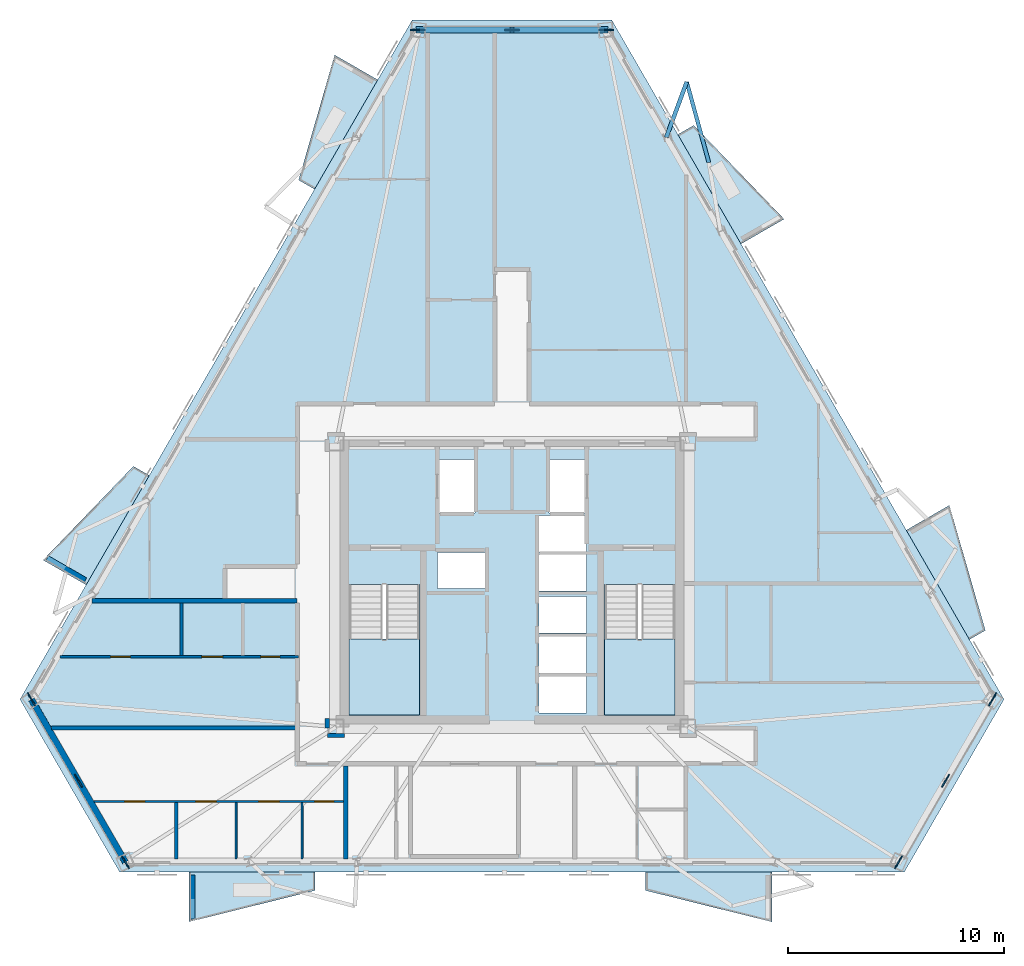
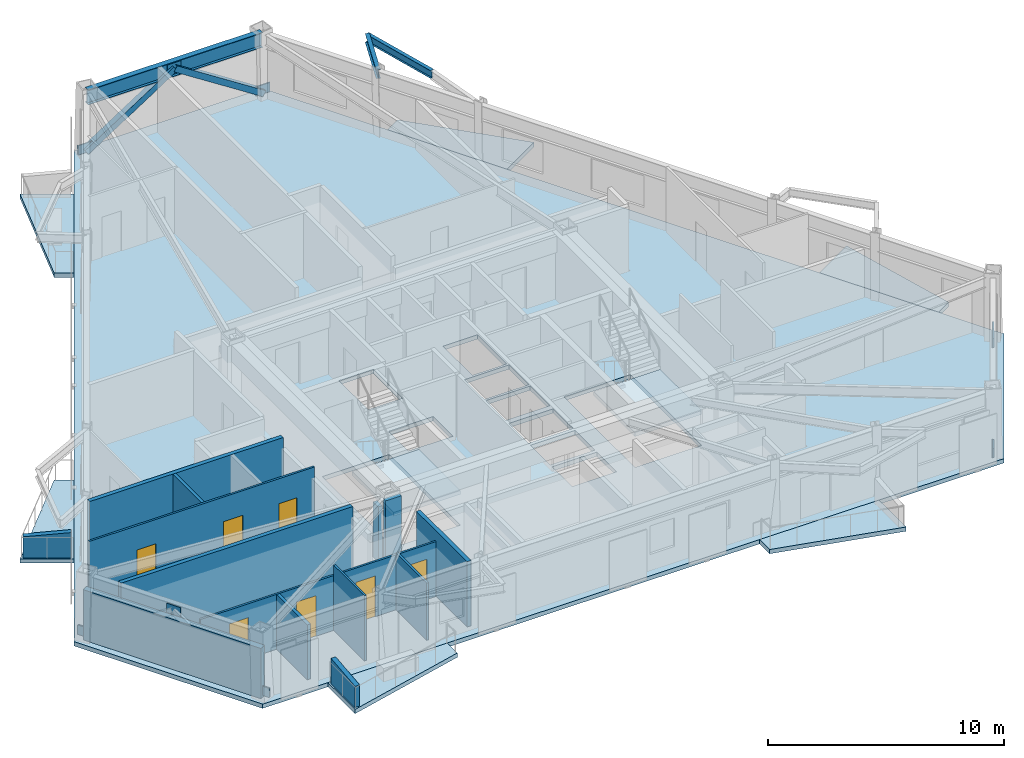
# One storey, part 2 of 9: 14 walls, 9 plates, 9 slabs, 7 doors, 3 beams, 2 members, 7 openings, 2 elements without a shape of their own.
"""IFC4 building model written with IfcOpenShell, lengths in metres."""

from ifc_helpers import new_model, si_unit, direction, frame, frame_2d, origin, origin_2d, place, context, subcontext, project, spatial, polyline, rectangle, hollow_rectangle, i_section, outline, extrude, material, layer, layer_set, material_profile, profile_set, type_object, element, fill, aggregate, save


model = new_model("IFC4")

# Units and contexts
model_context = context("Model", 3, precision=1e-05, world=origin(), true_north=direction((0.0, 1.0)))
body_context = subcontext(model_context, "Body", "Model", "MODEL_VIEW")
ifc_project = project(units=[si_unit("LENGTHUNIT", "METRE"), si_unit("AREAUNIT", "SQUARE_METRE"), si_unit("VOLUMEUNIT", "CUBIC_METRE"), si_unit("PLANEANGLEUNIT", "RADIAN"), si_unit("MASSUNIT", "GRAM", prefix="KILO")], contexts=[model_context])

# Site, building, storey
site_placement = place(None, origin())
site = spatial("IfcSite", under=ifc_project, at=site_placement, CompositionType="ELEMENT")
building_placement = place(site_placement, origin())
building = spatial("IfcBuilding", under=site, at=building_placement, Name="Oramaril Tower", CompositionType="ELEMENT")
storey_placement = place(building_placement, frame((0.0, 0.0, 167.39990234375)))
storey = spatial("IfcBuildingStorey", under=building, at=storey_placement, Name="L44", CompositionType="ELEMENT", Elevation=167.39990234375)

# Beams
ifc_material_1 = material(Name="Steel ASTM A572 Gr 50", Category="steel")
ifc_material_profile_1 = material_profile(ifc_material_1, i_section(OverallWidth=0.19091796875, OverallDepth=0.45703125, WebThickness=0.009033203125, FlangeThickness=0.014404296875, at=origin_2d()), Name="W18X50")
ifc_profile_set_1 = profile_set([ifc_material_profile_1], Name="Steel ASTM A572 Gr 50")
beam_type_1 = type_object("IfcBeamType", Name="BT-BB1", PredefinedType="BEAM", material=ifc_profile_set_1)
beam_1_placement = place(storey_placement, frame((44.643798828125, 38.305419921875, 3.151611328125), z_axis=(0.346609249055, 0.938009610009, 0.0), x_axis=(-0.938009610009, 0.346609249055, 0.0)))
element("IfcBeam", 1, at=beam_1_placement, inside=storey, type_object=beam_type_1, Name="L44 Balcony Column-Framed Cantilever 04.2", PredefinedType="BEAM", context=body_context, shape_type="SweptSolid", body=[
    extrude(i_section(OverallWidth=0.19091796875, OverallDepth=0.45703125, WebThickness=0.009033203125, FlangeThickness=0.014404296875, at=origin_2d()), origin(), (0.0, 0.0, 1.0), 2.74072265625),
])
ifc_material_2 = material(Name="Steel ASTM A572 Gr 50", Category="steel")
ifc_material_profile_2 = material_profile(ifc_material_2, i_section(OverallWidth=0.177978515625, OverallDepth=0.404052734375, WebThickness=0.007568359375, FlangeThickness=0.010986328125, at=origin_2d()), Name="W16X36")
ifc_profile_set_2 = profile_set([ifc_material_profile_2], Name="Steel ASTM A572 Gr 50")
beam_type_2 = type_object("IfcBeamType", Name="BT-SB1", PredefinedType="BEAM", material=ifc_profile_set_2)
beam_2_placement = place(storey_placement, frame((46.616943359375, 37.143798828125, 3.177978515625), z_axis=(-0.264382243015, 0.964417974521, 0.0), x_axis=(-0.964417974521, -0.264382243015, 0.0)))
element("IfcBeam", 2, at=beam_2_placement, inside=storey, type_object=beam_type_2, Name="L44 Balcony Edge Tie Beam 04", PredefinedType="BEAM", context=body_context, shape_type="SweptSolid", body=[
    extrude(i_section(OverallWidth=0.177978515625, OverallDepth=0.404052734375, WebThickness=0.007568359375, FlangeThickness=0.010986328125, at=origin_2d()), origin(), (0.0, 0.0, 1.0), 3.8701171875),
])
ifc_material_3 = material(Name="Steel ASTM A572 Gr 50", Category="steel")
ifc_material_profile_3 = material_profile(ifc_material_3, i_section(OverallWidth=0.26708984375, OverallDepth=0.77001953125, WebThickness=0.015625, FlangeThickness=0.025390625, at=origin_2d()), Name="W30X132")
ifc_profile_set_3 = profile_set([ifc_material_profile_3], Name="Steel ASTM A572 Gr 50")
beam_type_3 = type_object("IfcBeamType", Name="BT-SP3", PredefinedType="SPANDREL", material=ifc_profile_set_3)
beam_3_placement = place(storey_placement, frame((41.7744140625, 43.275390625, 2.9951171875), z_axis=(-1.0, 0.0, 0.0), x_axis=(0.0, -1.0, 0.0)))
element("IfcBeam", 3, at=beam_3_placement, inside=storey, type_object=beam_type_3, Name="L44 Perimeter Spandrel 13", PredefinedType="SPANDREL", context=body_context, shape_type="SweptSolid", body=[
    extrude(i_section(OverallWidth=0.26708984375, OverallDepth=0.77001953125, WebThickness=0.015625, FlangeThickness=0.025390625, at=origin_2d()), origin(), (0.0, 0.0, 1.0), 8.548828125),
])

# Members
ifc_material_4 = material(Name="Steel ASTM A572 Gr 50", Category="steel")
ifc_material_profile_4 = material_profile(ifc_material_4, hollow_rectangle(XDim=0.300048828125, YDim=0.300048828125, WallThickness=0.01611328125, at=origin_2d()), Name="HSS300X300X16")
ifc_profile_set_4 = profile_set([ifc_material_profile_4], Name="Steel ASTM A572 Gr 50")
member_type = type_object("IfcMemberType", Name="MT-KB2", PredefinedType="BRACE", material=ifc_profile_set_4)
for number, where, z_axis, x_axis, name in (
    (4, (41.8544921875, 43.28466796875, 0.18017578125), (-0.839805043413, 0.0, 0.542888099941), (0.0, -1.0, 0.0), "L44 Perimeter Chevron Brace KB-3A"),
    (5, (33.1455078125, 43.28466796875, 0.18017578125), (0.839805043413, 0.0, 0.542888099941), (0.0, 1.0, 0.0), "L44 Perimeter Chevron Brace KB-3B"),
):
    element("IfcMember", number, at=place(storey_placement, frame(where, z_axis=z_axis, x_axis=x_axis)), inside=storey, type_object=member_type, Name=name, PredefinedType="BRACE", context=body_context, shape_type="SweptSolid", body=[
        extrude(hollow_rectangle(XDim=0.300048828125, YDim=0.300048828125, WallThickness=0.01611328125, at=origin_2d()), origin(), (0.0, 0.0, 1.0), 5.18505859375),
    ])

# Plates
ifc_material_5 = material(Name="Steel ASTM A572 Gr 50", Category="steel")
ifc_layer_1 = layer(ifc_material_5, 0.06005859375)
ifc_layer_set_1 = layer_set([ifc_layer_1], Name="PLT-G60")
plate_type = type_object("IfcPlateType", Name="PLT-G60", PredefinedType="USERDEFINED", material=ifc_layer_set_1)
for number, where, z_axis, x_axis, name in (
    (6, (17.42138671875, 8.507568359375, 2.755126953125), (0.0, 0.0, 1.0), (0.499996976998, -0.866027149108, 0.0), "L44 Chevron Brace Gusset Plate BN-1"),
    (7, (15.244384765625, 12.27880859375, 0.10009765625), (0.0, 0.0, 1.0), (0.499996976998, -0.866027149108, 0.0), "L44 Chevron Brace Gusset Plate BN-1"),
    (8, (19.5986328125, 4.736572265625, 0.10009765625), (0.0, 0.0, 1.0), (0.499996976998, -0.866027149108, 0.0), "L44 Chevron Brace Gusset Plate BN-1"),
    (9, (57.57861328125, 8.507568359375, 2.755126953125), (0.0, 0.0, 1.0), (0.499996976998, 0.866027149108, 0.0), "L44 Chevron Brace Gusset Plate BN-1"),
    (10, (55.4013671875, 4.736572265625, 0.10009765625), (0.0, 0.0, 1.0), (0.499996976998, 0.866027149108, 0.0), "L44 Chevron Brace Gusset Plate BN-1"),
    (11, (59.755615234375, 12.27880859375, 0.10009765625), (0.0, 0.0, 1.0), (0.499996976998, 0.866027149108, 0.0), "L44 Chevron Brace Gusset Plate BN-1"),
    (12, (37.5, 43.28466796875, 2.755126953125), (0.0, 0.0, 1.0), (-1.0, 0.0, 0.0), "L44 Chevron Brace Gusset Plate BN-1"),
    (13, (41.8544921875, 43.28466796875, 0.10009765625), (0.0, 0.0, 1.0), (-1.0, 0.0, 0.0), "L44 Chevron Brace Gusset Plate BN-1"),
    (14, (33.1455078125, 43.28466796875, 0.10009765625), (0.0, 0.0, 1.0), (-1.0, 0.0, 0.0), "L44 Chevron Brace Gusset Plate BN-1"),
):
    element("IfcPlate", number, at=place(storey_placement, frame(where, z_axis=z_axis, x_axis=x_axis)), inside=storey, type_object=plate_type, Name=name, ObjectType="GUSSET", PredefinedType="USERDEFINED", context=body_context, shape_type="SweptSolid", body=[
        extrude(rectangle(XDim=0.679931640625, YDim=0.06005859375, at=origin_2d()), origin(), (0.0, 0.0, 1.0), 0.47998046875),
    ])

# Slabs
ifc_material_6 = material(Name="Concrete C40/50", Category="concrete")
ifc_layer_2 = layer(ifc_material_6, 0.199951171875)
ifc_layer_set_2 = layer_set([ifc_layer_2], Name="SLT-BAL20")
slab_type_1 = type_object("IfcSlabType", Name="SLT-BAL20", PredefinedType="FLOOR", material=ifc_layer_set_2)
slab_1_placement = place(storey_placement, frame((0.0, 0.0, -0.219970703125)))
element("IfcSlab", 15, at=slab_1_placement, inside=storey, type_object=slab_type_1, Name="L44 Cantilevered Balcony Slab L44-BAL-S2", PredefinedType="FLOOR", context=body_context, shape_type="SweptSolid", body=[
    extrude(outline(polyline([(43.69189453125, 4.278564453125), (49.5419921875, 4.278564453125), (49.5419921875, 1.9765625), (43.69189453125, 3.426513671875), (43.69189453125, 4.278564453125)])), origin(), (0.0, 0.0, 1.0), 0.219970703125),
])
slab_2_placement = place(storey_placement, frame((0.0, 0.0, -0.219970703125)))
element("IfcSlab", 16, at=slab_2_placement, inside=storey, type_object=slab_type_1, Name="L44 Cantilevered Balcony Slab L44-BAL-NE1", PredefinedType="FLOOR", context=body_context, shape_type="SweptSolid", body=[
    extrude(outline(polyline([(58.685302734375, 15.049072265625), (55.76025390625, 20.115234375), (57.75390625, 21.26611328125), (59.423095703125, 15.47509765625), (58.685302734375, 15.049072265625)])), origin(), (0.0, 0.0, 1.0), 0.219970703125),
])
slab_3_placement = place(storey_placement, frame((0.0, 0.0, -0.219970703125)))
element("IfcSlab", 17, at=slab_3_placement, inside=storey, type_object=slab_type_1, Name="L44 Cantilevered Balcony Slab L44-BAL-NW2", PredefinedType="FLOOR", context=body_context, shape_type="SweptSolid", body=[
    extrude(outline(polyline([(20.702392578125, 22.6484375), (17.77734375, 17.58203125), (15.78369140625, 18.733154296875), (19.964599609375, 23.074462890625), (20.702392578125, 22.6484375)])), origin(), (0.0, 0.0, 1.0), 0.219970703125),
])
ifc_material_7 = material(Name="Concrete C50/60", Category="concrete")
ifc_layer_3 = layer(ifc_material_7, 0.219970703125)
ifc_layer_set_3 = layer_set([ifc_layer_3], Name="SLT-FLR22")
slab_type_2 = type_object("IfcSlabType", Name="SLT-FLR22", PredefinedType="FLOOR", material=ifc_layer_set_3)
slab_4_placement = place(storey_placement, frame((0.0, 0.0, -0.219970703125)))
element("IfcSlab", 18, at=slab_4_placement, inside=storey, type_object=slab_type_2, Name="L44 Structural Floor Slab", PredefinedType="FLOOR", context=body_context, shape_type="SweptSolid", body=[
    extrude(outline(polyline([(14.713134765625, 12.27880859375), (19.3330078125, 4.276611328125), (55.6669921875, 4.276611328125), (60.286865234375, 12.27880859375), (42.1201171875, 43.74462890625), (32.8798828125, 43.74462890625), (14.713134765625, 12.27880859375)]), holes=[polyline([(29.949951171875, 17.58935546875), (29.949951171875, 11.550048828125), (33.219970703125, 11.550048828125), (33.219970703125, 17.58935546875), (29.949951171875, 17.58935546875)]), polyline([(41.780029296875, 17.58935546875), (41.780029296875, 11.550048828125), (45.050048828125, 11.550048828125), (45.050048828125, 17.58935546875), (41.780029296875, 17.58935546875)]), polyline([(34.110107421875, 20.909912109375), (35.7900390625, 20.909912109375), (35.7900390625, 23.389892578125), (34.110107421875, 23.389892578125), (34.110107421875, 20.909912109375)]), polyline([(39.2099609375, 20.909912109375), (40.889892578125, 20.909912109375), (40.889892578125, 23.389892578125), (39.2099609375, 23.389892578125), (39.2099609375, 20.909912109375)]), polyline([(38.760009765625, 11.659912109375), (40.93994140625, 11.659912109375), (40.93994140625, 13.340087890625), (38.760009765625, 13.340087890625), (38.760009765625, 11.659912109375)]), polyline([(38.760009765625, 13.510009765625), (40.93994140625, 13.510009765625), (40.93994140625, 15.18994140625), (38.760009765625, 15.18994140625), (38.760009765625, 13.510009765625)]), polyline([(38.760009765625, 15.360107421875), (40.93994140625, 15.360107421875), (40.93994140625, 17.0400390625), (38.760009765625, 17.0400390625), (38.760009765625, 15.360107421875)]), polyline([(34.06005859375, 17.409912109375), (36.239990234375, 17.409912109375), (36.239990234375, 19.090087890625), (34.06005859375, 19.090087890625), (34.06005859375, 17.409912109375)]), polyline([(38.760009765625, 17.31005859375), (40.93994140625, 17.31005859375), (40.93994140625, 18.989990234375), (38.760009765625, 18.989990234375), (38.760009765625, 17.31005859375)]), polyline([(38.760009765625, 19.110107421875), (40.93994140625, 19.110107421875), (40.93994140625, 20.7900390625), (38.760009765625, 20.7900390625), (38.760009765625, 19.110107421875)])]), origin(), (0.0, 0.0, 1.0), 0.219970703125),
])

# Stair, slab
ifc_material_8 = material(Name="Concrete C50/60", Category="concrete")
stair_type = type_object("IfcStairType", Name="STT-DG-3600", PredefinedType="HALF_TURN_STAIR", material=ifc_material_8)
stair_1_placement = place(storey_placement, origin())
stair_1 = element("IfcStair", 19, at=stair_1_placement, inside=storey, type_object=stair_type, Name="L44 Protected PFP Exit Stair ST-1", PredefinedType="HALF_TURN_STAIR")
ifc_material_9 = material(Name="Concrete C50/60", Category="concrete")
ifc_layer_4 = layer(ifc_material_9, 0.199951171875)
ifc_layer_set_4 = layer_set([ifc_layer_4], Name="SLT-LND20")
slab_type_3 = type_object("IfcSlabType", Name="SLT-LND20", PredefinedType="LANDING", material=ifc_layer_set_4)
slab_5_placement = place(storey_placement, frame((0.0, 0.0, 1.60009765625)))
slab_5 = element("IfcSlab", 20, at=slab_5_placement, type_object=slab_type_3, Name="ST-1 landing 1", PredefinedType="LANDING", context=body_context, shape_type="SweptSolid", body=[
    extrude(outline(polyline([(29.949951171875, 15.070068359375), (29.949951171875, 11.550048828125), (33.219970703125, 11.550048828125), (33.219970703125, 15.070068359375), (29.949951171875, 15.070068359375)])), origin(), (0.0, 0.0, 1.0), 0.199951171875),
])
aggregate(stair_1, [slab_5])

stair_2_placement = place(storey_placement, origin())
stair_2 = element("IfcStair", 21, at=stair_2_placement, inside=storey, type_object=stair_type, Name="L44 Protected PFP Exit Stair ST-2", PredefinedType="HALF_TURN_STAIR")
slab_6_placement = place(storey_placement, frame((0.0, 0.0, 1.60009765625)))
slab_6 = element("IfcSlab", 22, at=slab_6_placement, type_object=slab_type_3, Name="ST-2 landing 1", PredefinedType="LANDING", context=body_context, shape_type="SweptSolid", body=[
    extrude(outline(polyline([(41.780029296875, 15.070068359375), (41.780029296875, 11.550048828125), (45.050048828125, 11.550048828125), (45.050048828125, 15.070068359375), (41.780029296875, 15.070068359375)])), origin(), (0.0, 0.0, 1.0), 0.199951171875),
])
aggregate(stair_2, [slab_6])

# Slabs
ifc_material_10 = material(Name="Concrete C40/50", Category="concrete")
ifc_layer_5 = layer(ifc_material_10, 0.18994140625)
ifc_layer_set_5 = layer_set([ifc_layer_5], Name="SLT-PLN19")
slab_type_4 = type_object("IfcSlabType", Name="SLT-PLN19", PredefinedType="FLOOR", material=ifc_layer_set_5)
slab_7_placement = place(storey_placement, frame((0.0, 0.0, -0.219970703125)))
element("IfcSlab", 23, at=slab_7_placement, inside=storey, type_object=slab_type_4, Name="L44 Tree Planter Balcony Slab L44-BAL-S1", PredefinedType="FLOOR", context=body_context, shape_type="SweptSolid", body=[
    extrude(outline(polyline([(22.533203125, 4.278564453125), (28.383056640625, 4.278564453125), (28.383056640625, 3.426513671875), (22.533203125, 1.9765625), (22.533203125, 4.278564453125)])), origin(), (0.0, 0.0, 1.0), 0.219970703125),
])
slab_8_placement = place(storey_placement, frame((0.0, 0.0, -0.219970703125)))
element("IfcSlab", 24, at=slab_8_placement, inside=storey, type_object=slab_type_4, Name="L44 Tree Planter Balcony Slab L44-BAL-NE2", PredefinedType="FLOOR", context=body_context, shape_type="SweptSolid", body=[
    extrude(outline(polyline([(48.105712890625, 33.373046875), (45.180908203125, 38.439208984375), (45.918701171875, 38.865234375), (50.099365234375, 34.52392578125), (48.105712890625, 33.373046875)])), origin(), (0.0, 0.0, 1.0), 0.219970703125),
])
slab_9_placement = place(storey_placement, frame((0.0, 0.0, -0.219970703125)))
element("IfcSlab", 25, at=slab_9_placement, inside=storey, type_object=slab_type_4, Name="L44 Tree Planter Balcony Slab L44-BAL-NW1", PredefinedType="FLOOR", context=body_context, shape_type="SweptSolid", body=[
    extrude(outline(polyline([(31.28173828125, 40.972412109375), (28.356689453125, 35.90625), (27.618896484375, 36.332275390625), (29.2880859375, 42.123291015625), (31.28173828125, 40.972412109375)])), origin(), (0.0, 0.0, 1.0), 0.219970703125),
])

# Walls
ifc_material_11 = material(Name="Warm Cream Limestone", Category="masonry")
ifc_layer_6 = layer(ifc_material_11, 0.2900390625)
ifc_layer_set_6 = layer_set([ifc_layer_6], Name="WT-EXT29")
wall_type_1 = type_object("IfcWallType", Name="WT-EXT29", PredefinedType="SOLIDWALL", material=ifc_layer_set_6)
wall_1_placement = place(storey_placement, frame((15.244384765625, 12.27880859375, 0.0), z_axis=(0.0, 0.0, 1.0), x_axis=(0.499977253468, -0.866038536102, 0.0)))
element("IfcWall", 26, at=wall_1_placement, inside=storey, type_object=wall_type_1, Name="L44 Tower Limestone Facade Wall 1M", PredefinedType="SOLIDWALL", context=body_context, shape_type="SweptSolid", body=[
    extrude(rectangle(XDim=8.708984375, YDim=0.2900390625, at=frame_2d((4.3544921875, 0.0))), origin(), (0.0, 0.0, 1.0), 2.60009765625),
])
ifc_material_12 = material(Name="Concrete C40/50", Category="concrete")
ifc_layer_7 = layer(ifc_material_12, 0.22998046875)
ifc_layer_set_7 = layer_set([ifc_layer_7], Name="WT-PRP23")
wall_type_2 = type_object("IfcWallType", Name="WT-PRP23", PredefinedType="PARAPET", material=ifc_layer_set_7)
for number, where, z_axis, x_axis, name in (
    (27, (22.713134765625, 4.138671875, 0.0), (0.0, 0.0, 1.0), (0.0, -1.0, 0.0), "L44 Trapezoidal Balcony Frame Cheek L44-BAL-S1-L"),
    (28, (17.74609375, 17.80810546875, 0.0), (0.0, 0.0, 1.0), (-0.866012356593, 0.500022597718, 0.0), "L44 Trapezoidal Balcony Frame Cheek L44-BAL-NW2-R"),
):
    element("IfcWall", number, at=place(storey_placement, frame(where, z_axis=z_axis, x_axis=x_axis)), inside=storey, type_object=wall_type_2, Name=name, PredefinedType="PARAPET", context=body_context, shape_type="SweptSolid", body=[
        extrude(outline(polyline([(0.0, 0.0), (2.0419921875, 0.0), (2.0419921875, 1.10009765625), (0.0, 1.320068359375), (0.0, 0.0)])), frame((0.0, 0.114990234375, 0.0), z_axis=(0.0, -1.0, 0.0), x_axis=(1.0, 0.0, 0.0)), (0.0, 0.0, 1.0), 0.22998046875),
    ])

# Wall, openings, doors
ifc_material_13 = material(Name="Acoustic Gypsum Board Partition")
ifc_layer_8 = layer(ifc_material_13, 0.10009765625)
ifc_layer_set_8 = layer_set([ifc_layer_8], Name="WT-PT10")
wall_type_3 = type_object("IfcWallType", Name="WT-PT10", PredefinedType="PARTITIONING", material=ifc_layer_set_8)
wall_2_placement = place(storey_placement, frame((18.146484375, 7.550048828125, 0.0), z_axis=(0.0, 0.0, 1.0), x_axis=(1.0, 0.0, 0.0)))
wall_2 = element("IfcWall", 29, at=wall_2_placement, inside=storey, type_object=wall_type_3, Name="L44 Interior Partition PT-10", PredefinedType="PARTITIONING", context=body_context, shape_type="SweptSolid", body=[
    extrude(rectangle(XDim=11.70361328125, YDim=0.10009765625, at=frame_2d((5.851806640625, 0.0))), origin(), (0.0, 0.0, 1.0), 2.842041015625),
])
opening_1_placement = place(wall_2_placement, frame((1.4248046875, 0.0, 0.0)))
opening_1 = element("IfcOpeningElement", 30, at=opening_1_placement, cuts=wall_2, Name="Opening D-L44-01", PredefinedType="OPENING", context=body_context, shape_type="SweptSolid", body=[
    extrude(rectangle(XDim=0.919921875, YDim=2.1201171875, at=frame_2d((0.4599609375, 1.06005859375))), frame((0.0, 0.050048828125, 0.0), z_axis=(0.0, -1.0, 0.0), x_axis=(1.0, 0.0, 0.0)), (0.0, 0.0, 1.0), 0.10009765625),
])
opening_2_placement = place(wall_2_placement, frame((4.713623046875, 0.0, 0.0)))
opening_2 = element("IfcOpeningElement", 31, at=opening_2_placement, cuts=wall_2, Name="Opening D-L44-02", PredefinedType="OPENING", context=body_context, shape_type="SweptSolid", body=[
    extrude(rectangle(XDim=0.949951171875, YDim=2.10009765625, at=frame_2d((0.47509765625, 1.050048828125))), frame((0.0, 0.050048828125, 0.0), z_axis=(0.0, -1.0, 0.0), x_axis=(1.0, 0.0, 0.0)), (0.0, 0.0, 1.0), 0.10009765625),
])
opening_3_placement = place(wall_2_placement, frame((7.626220703125, 0.0, 0.0)))
opening_3 = element("IfcOpeningElement", 32, at=opening_3_placement, cuts=wall_2, Name="Opening D-L44-03", PredefinedType="OPENING", context=body_context, shape_type="SweptSolid", body=[
    extrude(rectangle(XDim=0.949951171875, YDim=2.10009765625, at=frame_2d((0.47509765625, 1.050048828125))), frame((0.0, 0.050048828125, 0.0), z_axis=(0.0, -1.0, 0.0), x_axis=(1.0, 0.0, 0.0)), (0.0, 0.0, 1.0), 0.10009765625),
])
opening_4_placement = place(wall_2_placement, frame((10.21484375, 0.0, 0.0)))
opening_4 = element("IfcOpeningElement", 33, at=opening_4_placement, cuts=wall_2, Name="Opening D-L44-04", PredefinedType="OPENING", context=body_context, shape_type="SweptSolid", body=[
    extrude(rectangle(XDim=0.8798828125, YDim=2.080078125, at=frame_2d((0.43994140625, 1.0400390625))), frame((0.0, 0.050048828125, 0.0), z_axis=(0.0, -1.0, 0.0), x_axis=(1.0, 0.0, 0.0)), (0.0, 0.0, 1.0), 0.10009765625),
])
ifc_material_14 = material(Name="FSC Brazilian Freijo Hardwood", Category="wood")
door_type_1 = type_object("IfcDoorType", Name="DT-BATH", OperationType="NOTDEFINED", PredefinedType="DOOR", material=ifc_material_14)
door_1_placement = place(opening_4_placement, origin())
door_1 = element("IfcDoor", 34, at=door_1_placement, inside=storey, type_object=door_type_1, Name="L44 Flat L44-U1 Bathroom Door D-L44-04", OperationType="SINGLE_SWING_RIGHT", OverallHeight=2.080078125, OverallWidth=0.8798828125, PredefinedType="DOOR", context=body_context, shape_type="SweptSolid", body=[
    extrude(rectangle(XDim=0.8798828125, YDim=2.080078125, at=frame_2d((0.43994140625, 1.0400390625))), frame((0.0, 0.02490234375, 0.0), z_axis=(0.0, -1.0, 0.0), x_axis=(1.0, 0.0, 0.0)), (0.0, 0.0, 1.0), 0.050048828125),
])
fill(opening_4, door_1)
ifc_material_15 = material(Name="FSC Brazilian Freijo Hardwood", Category="wood")
door_type_2 = type_object("IfcDoorType", Name="DT-BED", OperationType="NOTDEFINED", PredefinedType="DOOR", material=ifc_material_15)
door_2_placement = place(opening_1_placement, origin())
door_2 = element("IfcDoor", 35, at=door_2_placement, inside=storey, type_object=door_type_2, Name="L44 Flat L44-U1 Master Bedroom Door D-L44-01", OperationType="SINGLE_SWING_LEFT", OverallHeight=2.1201171875, OverallWidth=0.919921875, PredefinedType="DOOR", context=body_context, shape_type="SweptSolid", body=[
    extrude(rectangle(XDim=0.919921875, YDim=2.1201171875, at=frame_2d((0.4599609375, 1.06005859375))), frame((0.0, 0.02490234375, 0.0), z_axis=(0.0, -1.0, 0.0), x_axis=(1.0, 0.0, 0.0)), (0.0, 0.0, 1.0), 0.050048828125),
])
fill(opening_1, door_2)
ifc_material_16 = material(Name="FSC Brazilian Freijo Hardwood", Category="wood")
door_type_3 = type_object("IfcDoorType", Name="DT-STDY", OperationType="NOTDEFINED", PredefinedType="DOOR", material=ifc_material_16)
door_3_placement = place(opening_2_placement, origin())
door_3 = element("IfcDoor", 36, at=door_3_placement, inside=storey, type_object=door_type_3, Name="L44 Flat L44-U1 Dining Room Door D-L44-02", OperationType="SINGLE_SWING_RIGHT", OverallHeight=2.10009765625, OverallWidth=0.949951171875, PredefinedType="DOOR", context=body_context, shape_type="SweptSolid", body=[
    extrude(rectangle(XDim=0.949951171875, YDim=2.10009765625, at=frame_2d((0.47509765625, 1.050048828125))), frame((0.0, 0.02490234375, 0.0), z_axis=(0.0, -1.0, 0.0), x_axis=(1.0, 0.0, 0.0)), (0.0, 0.0, 1.0), 0.050048828125),
])
fill(opening_2, door_3)
door_4_placement = place(opening_3_placement, origin())
door_4 = element("IfcDoor", 37, at=door_4_placement, inside=storey, type_object=door_type_3, Name="L44 Flat L44-U1 Kitchen Door D-L44-03", OperationType="SINGLE_SWING_LEFT", OverallHeight=2.10009765625, OverallWidth=0.949951171875, PredefinedType="DOOR", context=body_context, shape_type="SweptSolid", body=[
    extrude(rectangle(XDim=0.949951171875, YDim=2.10009765625, at=frame_2d((0.47509765625, 1.050048828125))), frame((0.0, 0.02490234375, 0.0), z_axis=(0.0, -1.0, 0.0), x_axis=(1.0, 0.0, 0.0)), (0.0, 0.0, 1.0), 0.050048828125),
])
fill(opening_3, door_4)

wall_3_placement = place(storey_placement, frame((16.554443359375, 14.25, 0.0), z_axis=(0.0, 0.0, 1.0), x_axis=(1.0, 0.0, 0.0)))
wall_3 = element("IfcWall", 38, at=wall_3_placement, inside=storey, type_object=wall_type_3, Name="L44 Interior Partition PT-10", PredefinedType="PARTITIONING", context=body_context, shape_type="SweptSolid", body=[
    extrude(rectangle(XDim=11.045654296875, YDim=0.10009765625, at=frame_2d((5.52294921875, 0.0))), origin(), (0.0, 0.0, 1.0), 3.380126953125),
])
opening_5_placement = place(wall_3_placement, frame((2.351318359375, 0.0, 0.0)))
opening_5 = element("IfcOpeningElement", 39, at=opening_5_placement, cuts=wall_3, Name="Opening D-L44-13", PredefinedType="OPENING", context=body_context, shape_type="SweptSolid", body=[
    extrude(rectangle(XDim=0.919921875, YDim=2.1201171875, at=frame_2d((0.4599609375, 1.06005859375))), frame((0.0, 0.050048828125, 0.0), z_axis=(0.0, -1.0, 0.0), x_axis=(1.0, 0.0, 0.0)), (0.0, 0.0, 1.0), 0.10009765625),
])
opening_6_placement = place(wall_3_placement, frame((6.58740234375, 0.0, 0.0)))
opening_6 = element("IfcOpeningElement", 40, at=opening_6_placement, cuts=wall_3, Name="Opening D-L44-14", PredefinedType="OPENING", context=body_context, shape_type="SweptSolid", body=[
    extrude(rectangle(XDim=0.949951171875, YDim=2.10009765625, at=frame_2d((0.47509765625, 1.050048828125))), frame((0.0, 0.050048828125, 0.0), z_axis=(0.0, -1.0, 0.0), x_axis=(1.0, 0.0, 0.0)), (0.0, 0.0, 1.0), 0.10009765625),
])
opening_7_placement = place(wall_3_placement, frame((9.310546875, 0.0, 0.0)))
opening_7 = element("IfcOpeningElement", 41, at=opening_7_placement, cuts=wall_3, Name="Opening D-L44-15", PredefinedType="OPENING", context=body_context, shape_type="SweptSolid", body=[
    extrude(rectangle(XDim=0.8798828125, YDim=2.080078125, at=frame_2d((0.43994140625, 1.0400390625))), frame((0.0, 0.050048828125, 0.0), z_axis=(0.0, -1.0, 0.0), x_axis=(1.0, 0.0, 0.0)), (0.0, 0.0, 1.0), 0.10009765625),
])
door_5_placement = place(opening_7_placement, origin())
door_5 = element("IfcDoor", 42, at=door_5_placement, inside=storey, type_object=door_type_1, Name="L44 Flat L44-U4 Bathroom Door D-L44-15", OperationType="SINGLE_SWING_LEFT", OverallHeight=2.080078125, OverallWidth=0.8798828125, PredefinedType="DOOR", context=body_context, shape_type="SweptSolid", body=[
    extrude(rectangle(XDim=0.8798828125, YDim=2.080078125, at=frame_2d((0.43994140625, 1.0400390625))), frame((0.0, 0.02490234375, 0.0), z_axis=(0.0, -1.0, 0.0), x_axis=(1.0, 0.0, 0.0)), (0.0, 0.0, 1.0), 0.050048828125),
])
fill(opening_7, door_5)
door_6_placement = place(opening_5_placement, origin())
door_6 = element("IfcDoor", 43, at=door_6_placement, inside=storey, type_object=door_type_2, Name="L44 Flat L44-U4 Master Bedroom Door D-L44-13", OperationType="SINGLE_SWING_LEFT", OverallHeight=2.1201171875, OverallWidth=0.919921875, PredefinedType="DOOR", context=body_context, shape_type="SweptSolid", body=[
    extrude(rectangle(XDim=0.919921875, YDim=2.1201171875, at=frame_2d((0.4599609375, 1.06005859375))), frame((0.0, 0.02490234375, 0.0), z_axis=(0.0, -1.0, 0.0), x_axis=(1.0, 0.0, 0.0)), (0.0, 0.0, 1.0), 0.050048828125),
])
fill(opening_5, door_6)
door_7_placement = place(opening_6_placement, origin())
door_7 = element("IfcDoor", 44, at=door_7_placement, inside=storey, type_object=door_type_3, Name="L44 Flat L44-U4 Kitchen Door D-L44-14", OperationType="SINGLE_SWING_RIGHT", OverallHeight=2.10009765625, OverallWidth=0.949951171875, PredefinedType="DOOR", context=body_context, shape_type="SweptSolid", body=[
    extrude(rectangle(XDim=0.949951171875, YDim=2.10009765625, at=frame_2d((0.47509765625, 1.050048828125))), frame((0.0, 0.02490234375, 0.0), z_axis=(0.0, -1.0, 0.0), x_axis=(1.0, 0.0, 0.0)), (0.0, 0.0, 1.0), 0.050048828125),
])
fill(opening_6, door_7)

# Walls
wall_4_placement = place(storey_placement, frame((24.719970703125, 4.885498046875, 0.0), z_axis=(0.0, 0.0, 1.0), x_axis=(0.0, 1.0, 0.0)))
element("IfcWall", 45, at=wall_4_placement, inside=storey, type_object=wall_type_3, Name="L44 Interior Partition PT-10", PredefinedType="PARTITIONING", context=body_context, shape_type="SweptSolid", body=[
    extrude(rectangle(XDim=2.610595703125, YDim=0.10009765625, at=frame_2d((1.30517578125, 0.0))), origin(), (0.0, 0.0, 1.0), 3.380126953125),
])
wall_5_placement = place(storey_placement, frame((27.77001953125, 4.885498046875, 0.0), z_axis=(0.0, 0.0, 1.0), x_axis=(0.0, 1.0, 0.0)))
element("IfcWall", 46, at=wall_5_placement, inside=storey, type_object=wall_type_3, Name="L44 Interior Partition PT-10", PredefinedType="PARTITIONING", context=body_context, shape_type="SweptSolid", body=[
    extrude(rectangle(XDim=2.610595703125, YDim=0.10009765625, at=frame_2d((1.30517578125, 0.0))), origin(), (0.0, 0.0, 1.0), 2.966064453125),
])
ifc_material_17 = material(Name="Acoustic Gypsum Board Partition")
ifc_layer_9 = layer(ifc_material_17, 0.139892578125)
ifc_layer_set_9 = layer_set([ifc_layer_9], Name="WT-PT14")
wall_type_4 = type_object("IfcWallType", Name="WT-PT14", PredefinedType="PARTITIONING", material=ifc_layer_set_9)
wall_6_placement = place(storey_placement, frame((22.199951171875, 14.303955078125, 0.0), z_axis=(0.0, 0.0, 1.0), x_axis=(0.0, 1.0, 0.0)))
element("IfcWall", 47, at=wall_6_placement, inside=storey, type_object=wall_type_4, Name="L44 Interior Partition PT-14", PredefinedType="PARTITIONING", context=body_context, shape_type="SweptSolid", body=[
    extrude(rectangle(XDim=2.442138671875, YDim=0.139892578125, at=frame_2d((1.22119140625, 0.0))), origin(), (0.0, 0.0, 1.0), 3.380126953125),
])
ifc_material_18 = material(Name="Acoustic Gypsum Board Partition")
ifc_layer_10 = layer(ifc_material_18, 0.159912109375)
ifc_layer_set_10 = layer_set([ifc_layer_10], Name="WT-PT16")
wall_type_5 = type_object("IfcWallType", Name="WT-PT16", PredefinedType="PARTITIONING", material=ifc_layer_set_10)
wall_7_placement = place(storey_placement, frame((21.949951171875, 4.885498046875, 0.0), z_axis=(0.0, 0.0, 1.0), x_axis=(0.0, 1.0, 0.0)))
element("IfcWall", 48, at=wall_7_placement, inside=storey, type_object=wall_type_5, Name="L44 Interior Partition PT-16", PredefinedType="PARTITIONING", context=body_context, shape_type="SweptSolid", body=[
    extrude(rectangle(XDim=2.610595703125, YDim=0.159912109375, at=frame_2d((1.30517578125, 0.0))), origin(), (0.0, 0.0, 1.0), 2.842041015625),
])
ifc_material_19 = material(Name="Autoclaved Cellular Concrete Block", Category="concrete")
ifc_layer_11 = layer(ifc_material_19, 0.199951171875)
ifc_layer_set_11 = layer_set([ifc_layer_11], Name="WT-PT20")
wall_type_6 = type_object("IfcWallType", Name="WT-PT20", PredefinedType="PARTITIONING", material=ifc_layer_set_11)
wall_8_placement = place(storey_placement, frame((28.9599609375, 10.610107421875, 0.0), z_axis=(0.0, 0.0, 1.0), x_axis=(1.0, 0.0, 0.0)))
element("IfcWall", 49, at=wall_8_placement, inside=storey, type_object=wall_type_6, Name="L44 Interior Partition PT-20", PredefinedType="PARTITIONING", context=body_context, shape_type="SweptSolid", body=[
    extrude(rectangle(XDim=0.780029296875, YDim=0.199951171875, at=frame_2d((0.39013671875, 0.0))), origin(), (0.0, 0.0, 1.0), 3.380126953125),
])
wall_9_placement = place(storey_placement, frame((16.18359375, 10.949951171875, 0.0), z_axis=(0.0, 0.0, 1.0), x_axis=(1.0, 0.0, 0.0)))
element("IfcWall", 50, at=wall_9_placement, inside=storey, type_object=wall_type_6, Name="L44 Interior Partition PT-20", PredefinedType="PARTITIONING", context=body_context, shape_type="SweptSolid", body=[
    extrude(rectangle(XDim=11.366455078125, YDim=0.199951171875, at=frame_2d((5.68310546875, 0.0))), origin(), (0.0, 0.0, 1.0), 3.380126953125),
])
wall_10_placement = place(storey_placement, frame((18.0556640625, 16.85009765625, 0.0), z_axis=(0.0, 0.0, 1.0), x_axis=(1.0, 0.0, 0.0)))
element("IfcWall", 51, at=wall_10_placement, inside=storey, type_object=wall_type_6, Name="L44 Interior Partition PT-20", PredefinedType="PARTITIONING", context=body_context, shape_type="SweptSolid", body=[
    extrude(rectangle(XDim=9.494384765625, YDim=0.199951171875, at=frame_2d((4.7470703125, 0.0))), origin(), (0.0, 0.0, 1.0), 3.380126953125),
])
wall_11_placement = place(storey_placement, frame((28.949951171875, 10.949951171875, 0.0), z_axis=(0.0, 0.0, 1.0), x_axis=(0.0, 1.0, 0.0)))
element("IfcWall", 52, at=wall_11_placement, inside=storey, type_object=wall_type_6, Name="L44 Interior Partition PT-20", PredefinedType="PARTITIONING", context=body_context, shape_type="SweptSolid", body=[
    extrude(rectangle(XDim=0.445068359375, YDim=0.199951171875, at=frame_2d((0.22265625, 0.0))), origin(), (0.0, 0.0, 1.0), 2.842041015625),
])
wall_12_placement = place(storey_placement, frame((29.800048828125, 4.885498046875, 0.0), z_axis=(0.0, 0.0, 1.0), x_axis=(0.0, 1.0, 0.0)))
element("IfcWall", 53, at=wall_12_placement, inside=storey, type_object=wall_type_6, Name="L44 Interior Partition PT-20", PredefinedType="PARTITIONING", context=body_context, shape_type="SweptSolid", body=[
    extrude(rectangle(XDim=4.310546875, YDim=0.199951171875, at=frame_2d((2.1552734375, 0.0))), origin(), (0.0, 0.0, 1.0), 3.380126953125),
])

save(model, "model.ifc")
